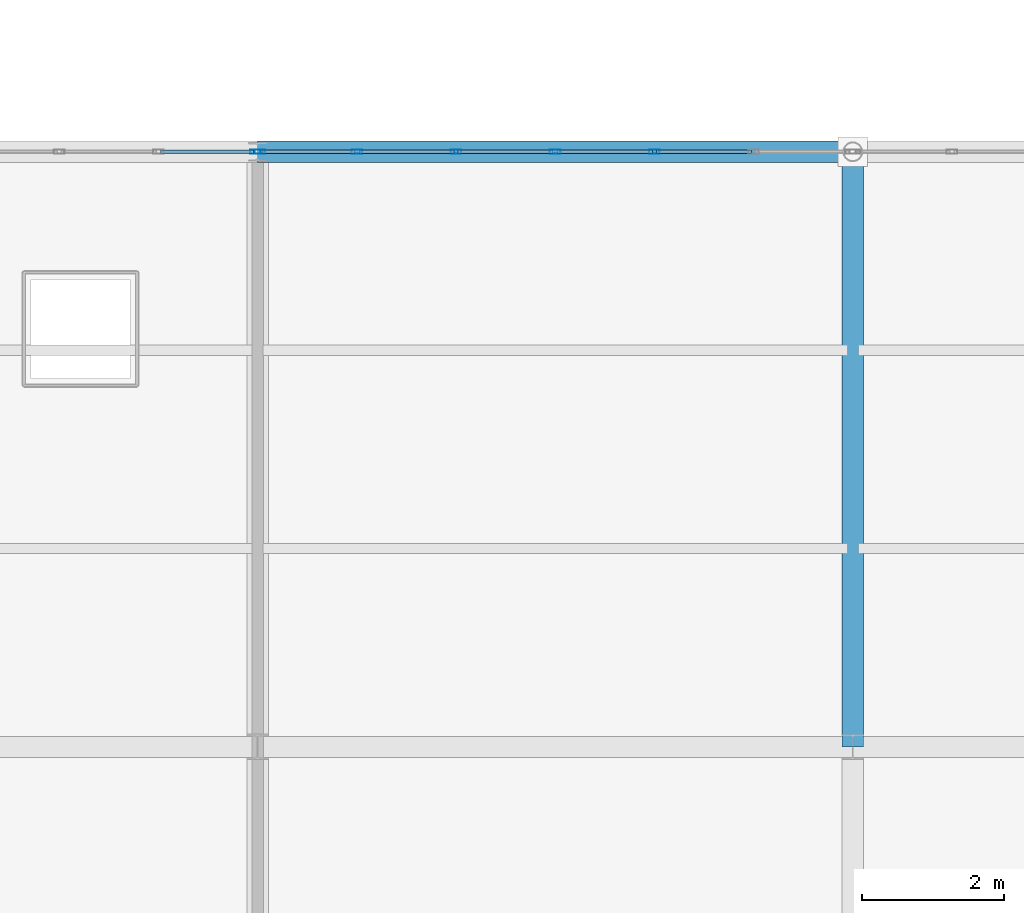
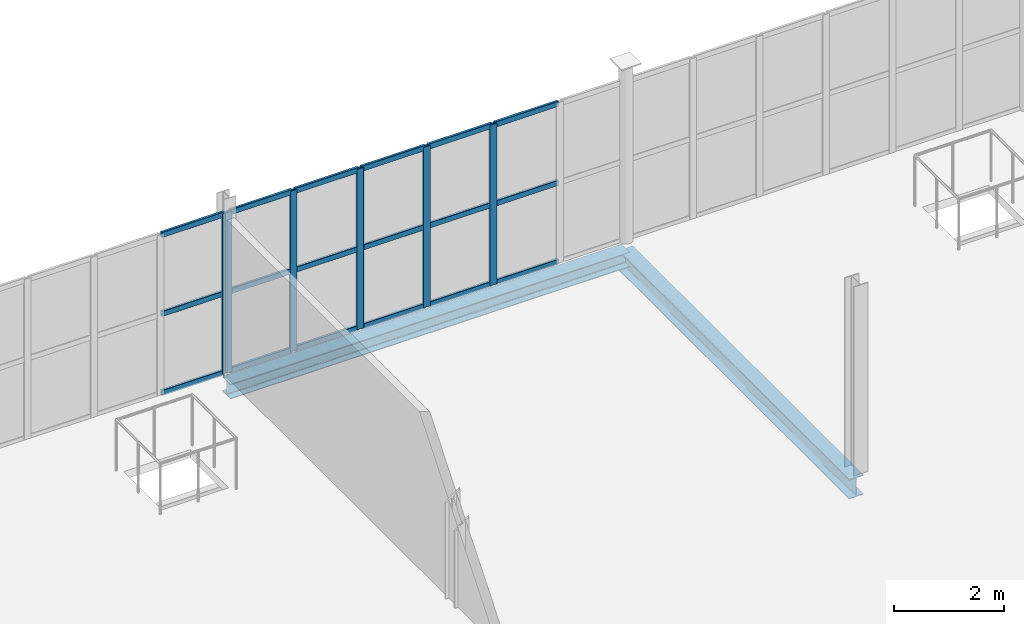
# One storey, part 84 of 163: 24 members, 2 beams, 2 elements without a shape of their own.
"""IFC4 building model written with IfcOpenShell, lengths in metres."""

from ifc_helpers import new_model, si_unit, direction, frame, origin, origin_2d, place, context, subcontext, project, spatial, hollow_rectangle, i_section, extrude, material, layer, layer_set, material_profile, profile_set, type_object, element, aggregate, save


model = new_model("IFC4")

# Units and contexts
model_context = context("Model", 3, precision=1e-05, world=origin(), true_north=direction((0.0, 1.0)))
body_context = subcontext(model_context, "Body", "Model", "MODEL_VIEW")
ifc_project = project(units=[si_unit("LENGTHUNIT", "METRE"), si_unit("AREAUNIT", "SQUARE_METRE"), si_unit("VOLUMEUNIT", "CUBIC_METRE"), si_unit("PLANEANGLEUNIT", "RADIAN"), si_unit("MASSUNIT", "GRAM", prefix="KILO")], contexts=[model_context])

# Site, building, storey
site_placement = place(None, origin())
site = spatial("IfcSite", under=ifc_project, at=site_placement, CompositionType="ELEMENT")
building_placement = place(site_placement, origin())
building = spatial("IfcBuilding", under=site, at=building_placement, Name="Qalvenar Corner Mobility Hub", CompositionType="ELEMENT")
storey_placement = place(building_placement, frame((0.0, 0.0, 4.800048828125)))
storey = spatial("IfcBuildingStorey", under=building, at=storey_placement, Name="L01", CompositionType="ELEMENT", Elevation=4.800048828125)

# Beams
ifc_material_1 = material(Name="Steel S355", Category="steel")
ifc_material_profile_1 = material_profile(ifc_material_1, i_section(OverallWidth=0.300048828125, OverallDepth=0.43994140625, WebThickness=0.011474609375, FlangeThickness=0.02099609375, FilletRadius=0.027099609375, at=origin_2d()), Name="HEA450")
ifc_profile_set_1 = profile_set([ifc_material_profile_1], Name="Steel S355")
beam_type_1 = type_object("IfcBeamType", Name="BM-HEA450", PredefinedType="BEAM", material=ifc_profile_set_1)
beam_1_placement = place(storey_placement, frame((25.199951171875, 84.0, -0.400146484375), z_axis=(0.0, 1.0, 0.0), x_axis=(-1.0, 0.0, 0.0)))
element("IfcBeam", 1, at=beam_1_placement, inside=storey, type_object=beam_type_1, Name="Primary Steel Girder GY-1203", PredefinedType="BEAM", context=body_context, shape_type="SweptSolid", body=[
    extrude(i_section(OverallWidth=0.300048828125, OverallDepth=0.43994140625, WebThickness=0.011474609375, FlangeThickness=0.02099609375, FilletRadius=0.027099609375, at=origin_2d()), origin(), (0.0, 0.0, 1.0), 8.39990234375),
])
ifc_material_profile_2 = material_profile(ifc_material_1, i_section(OverallWidth=0.300048828125, OverallDepth=0.330078125, WebThickness=0.009521484375, FlangeThickness=0.0166015625, FilletRadius=0.027099609375, at=origin_2d()), Name="HEA340")
ifc_profile_set_2 = profile_set([ifc_material_profile_2], Name="Steel S355")
beam_type_2 = type_object("IfcBeamType", Name="BM-SPN340", PredefinedType="SPANDREL", material=ifc_profile_set_2)
beam_2_placement = place(storey_placement, frame((16.800048828125, 92.39990234375, -0.344970703125), z_axis=(1.0, 0.0, 0.0), x_axis=(0.0, 1.0, 0.0)))
element("IfcBeam", 2, at=beam_2_placement, inside=storey, type_object=beam_type_2, Name="Primary Steel Girder GX-1178", PredefinedType="SPANDREL", context=body_context, shape_type="SweptSolid", body=[
    extrude(i_section(OverallWidth=0.300048828125, OverallDepth=0.330078125, WebThickness=0.009521484375, FlangeThickness=0.0166015625, FilletRadius=0.027099609375, at=origin_2d()), origin(), (0.0, 0.0, 1.0), 8.39990234375),
])

# Curtain wall, member
ifc_material_2 = material(Name="Anodised Aluminium and Low-E Glazing", Category="aluminium")
ifc_layer = layer(ifc_material_2, 0.14990234375)
ifc_layer_set = layer_set([ifc_layer], Name="Anodised Aluminium and Low-E Glazing")
curtain_wall_type = type_object("IfcCurtainWallType", Name="CW-CYC-84X39", PredefinedType="NOTDEFINED", material=ifc_layer_set)
curtain_wall_1_placement = place(storey_placement, origin())
curtain_wall_1 = element("IfcCurtainWall", 3, at=curtain_wall_1_placement, inside=storey, type_object=curtain_wall_type, Name="Glazed Curtain Wall CW-V5-L01-N1", PredefinedType="NOTDEFINED")
ifc_material_3 = material(Name="Anodised Aluminium 6063-T6", Category="aluminium")
ifc_material_profile_3 = material_profile(ifc_material_3, hollow_rectangle(XDim=0.06005859375, YDim=0.14990234375, WallThickness=0.00390625, InnerFilletRadius=0.00390625, OuterFilletRadius=0.008056640625, at=origin_2d()), Name="RHS150x60x4")
ifc_profile_set_3 = profile_set([ifc_material_profile_3], Name="Anodised Aluminium 6063-T6")
member_type_1 = type_object("IfcMemberType", Name="CW-MUL150", PredefinedType="MULLION", material=ifc_profile_set_3)
member_1_placement = place(storey_placement, frame((16.77001953125, 92.39990234375, 0.0), z_axis=(0.0, 0.0, 1.0), x_axis=(0.0, -1.0, 0.0)))
member_1 = element("IfcMember", 4, at=member_1_placement, type_object=member_type_1, Name="CW-08 mullion 1", PredefinedType="MULLION", context=body_context, shape_type="SweptSolid", body=[
    extrude(hollow_rectangle(XDim=0.06005859375, YDim=0.14990234375, WallThickness=0.00390625, InnerFilletRadius=0.00390625, OuterFilletRadius=0.008056640625, at=origin_2d()), origin(), (0.0, 0.0, 1.0), 3.570068359375),
])

# Curtain wall, members
curtain_wall_2_placement = place(storey_placement, origin())
curtain_wall_2 = element("IfcCurtainWall", 5, at=curtain_wall_2_placement, inside=storey, type_object=curtain_wall_type, Name="Glazed Curtain Wall CW-V5-L01-N2", PredefinedType="NOTDEFINED")
member_2_placement = place(storey_placement, frame((22.39990234375, 92.39990234375, 0.0), z_axis=(0.0, 0.0, 1.0), x_axis=(0.0, -1.0, 0.0)))
member_2 = element("IfcMember", 6, at=member_2_placement, type_object=member_type_1, Name="CW-08 mullion 3", PredefinedType="MULLION", context=body_context, shape_type="SweptSolid", body=[
    extrude(hollow_rectangle(XDim=0.06005859375, YDim=0.14990234375, WallThickness=0.00390625, InnerFilletRadius=0.00390625, OuterFilletRadius=0.008056640625, at=origin_2d()), origin(), (0.0, 0.0, 1.0), 3.570068359375),
])
member_3_placement = place(storey_placement, frame((21.0, 92.39990234375, 0.0), z_axis=(0.0, 0.0, 1.0), x_axis=(0.0, -1.0, 0.0)))
member_3 = element("IfcMember", 7, at=member_3_placement, type_object=member_type_1, Name="CW-08 mullion 4", PredefinedType="MULLION", context=body_context, shape_type="SweptSolid", body=[
    extrude(hollow_rectangle(XDim=0.06005859375, YDim=0.14990234375, WallThickness=0.00390625, InnerFilletRadius=0.00390625, OuterFilletRadius=0.008056640625, at=origin_2d()), origin(), (0.0, 0.0, 1.0), 3.570068359375),
])
member_4_placement = place(storey_placement, frame((19.60009765625, 92.39990234375, 0.0), z_axis=(0.0, 0.0, 1.0), x_axis=(0.0, -1.0, 0.0)))
member_4 = element("IfcMember", 8, at=member_4_placement, type_object=member_type_1, Name="CW-08 mullion 5", PredefinedType="MULLION", context=body_context, shape_type="SweptSolid", body=[
    extrude(hollow_rectangle(XDim=0.06005859375, YDim=0.14990234375, WallThickness=0.00390625, InnerFilletRadius=0.00390625, OuterFilletRadius=0.008056640625, at=origin_2d()), origin(), (0.0, 0.0, 1.0), 3.570068359375),
])
member_5_placement = place(storey_placement, frame((18.199951171875, 92.39990234375, 0.0), z_axis=(0.0, 0.0, 1.0), x_axis=(0.0, -1.0, 0.0)))
member_5 = element("IfcMember", 9, at=member_5_placement, type_object=member_type_1, Name="CW-08 mullion 6", PredefinedType="MULLION", context=body_context, shape_type="SweptSolid", body=[
    extrude(hollow_rectangle(XDim=0.06005859375, YDim=0.14990234375, WallThickness=0.00390625, InnerFilletRadius=0.00390625, OuterFilletRadius=0.008056640625, at=origin_2d()), origin(), (0.0, 0.0, 1.0), 3.570068359375),
])
member_6_placement = place(storey_placement, frame((16.830078125, 92.39990234375, 0.0), z_axis=(0.0, 0.0, 1.0), x_axis=(0.0, -1.0, 0.0)))
member_6 = element("IfcMember", 10, at=member_6_placement, type_object=member_type_1, Name="CW-08 mullion 7", PredefinedType="MULLION", context=body_context, shape_type="SweptSolid", body=[
    extrude(hollow_rectangle(XDim=0.06005859375, YDim=0.14990234375, WallThickness=0.00390625, InnerFilletRadius=0.00390625, OuterFilletRadius=0.008056640625, at=origin_2d()), origin(), (0.0, 0.0, 1.0), 3.570068359375),
])

# Member
ifc_material_profile_4 = material_profile(ifc_material_3, hollow_rectangle(XDim=0.054931640625, YDim=0.1201171875, WallThickness=0.00341796875, InnerFilletRadius=0.00341796875, OuterFilletRadius=0.007080078125, at=origin_2d()), Name="RHS120x55x3.5")
ifc_profile_set_4 = profile_set([ifc_material_profile_4], Name="Anodised Aluminium 6063-T6")
member_type_2 = type_object("IfcMemberType", Name="CW-TRN120", PredefinedType="USERDEFINED", material=ifc_profile_set_4)
member_7_placement = place(storey_placement, frame((16.739990234375, 92.39990234375, 0.02734375), z_axis=(-1.0, 0.0, 0.0), x_axis=(0.0, -1.0, 0.0)))
member_7 = element("IfcMember", 11, at=member_7_placement, type_object=member_type_2, Name="CW-08 transom 1.1", ObjectType="TRANSOM", PredefinedType="USERDEFINED", context=body_context, shape_type="SweptSolid", body=[
    extrude(hollow_rectangle(XDim=0.054931640625, YDim=0.1201171875, WallThickness=0.00341796875, InnerFilletRadius=0.00341796875, OuterFilletRadius=0.007080078125, at=origin_2d()), origin(), (0.0, 0.0, 1.0), 1.31005859375),
])

member_8_placement = place(storey_placement, frame((16.739990234375, 92.39990234375, 1.784912109375), z_axis=(-1.0, 0.0, 0.0), x_axis=(0.0, -1.0, 0.0)))
member_8 = element("IfcMember", 12, at=member_8_placement, type_object=member_type_2, Name="CW-08 transom 1.2", ObjectType="TRANSOM", PredefinedType="USERDEFINED", context=body_context, shape_type="SweptSolid", body=[
    extrude(hollow_rectangle(XDim=0.054931640625, YDim=0.1201171875, WallThickness=0.00341796875, InnerFilletRadius=0.00341796875, OuterFilletRadius=0.007080078125, at=origin_2d()), origin(), (0.0, 0.0, 1.0), 1.31005859375),
])

member_9_placement = place(storey_placement, frame((16.739990234375, 92.39990234375, 3.54248046875), z_axis=(-1.0, 0.0, 0.0), x_axis=(0.0, -1.0, 0.0)))
member_9 = element("IfcMember", 13, at=member_9_placement, type_object=member_type_2, Name="CW-08 transom 1.3", ObjectType="TRANSOM", PredefinedType="USERDEFINED", context=body_context, shape_type="SweptSolid", body=[
    extrude(hollow_rectangle(XDim=0.054931640625, YDim=0.1201171875, WallThickness=0.00341796875, InnerFilletRadius=0.00341796875, OuterFilletRadius=0.007080078125, at=origin_2d()), origin(), (0.0, 0.0, 1.0), 1.31005859375),
])

aggregate(curtain_wall_1, [member_1, member_7, member_8, member_9])

member_10_placement = place(storey_placement, frame((23.77001953125, 92.39990234375, 0.02734375), z_axis=(-1.0, 0.0, 0.0), x_axis=(0.0, -1.0, 0.0)))
member_10 = element("IfcMember", 14, at=member_10_placement, type_object=member_type_2, Name="CW-08 transom 2.1", ObjectType="TRANSOM", PredefinedType="USERDEFINED", context=body_context, shape_type="SweptSolid", body=[
    extrude(hollow_rectangle(XDim=0.054931640625, YDim=0.1201171875, WallThickness=0.00341796875, InnerFilletRadius=0.00341796875, OuterFilletRadius=0.007080078125, at=origin_2d()), origin(), (0.0, 0.0, 1.0), 1.340087890625),
])

member_11_placement = place(storey_placement, frame((23.77001953125, 92.39990234375, 1.784912109375), z_axis=(-1.0, 0.0, 0.0), x_axis=(0.0, -1.0, 0.0)))
member_11 = element("IfcMember", 15, at=member_11_placement, type_object=member_type_2, Name="CW-08 transom 2.2", ObjectType="TRANSOM", PredefinedType="USERDEFINED", context=body_context, shape_type="SweptSolid", body=[
    extrude(hollow_rectangle(XDim=0.054931640625, YDim=0.1201171875, WallThickness=0.00341796875, InnerFilletRadius=0.00341796875, OuterFilletRadius=0.007080078125, at=origin_2d()), origin(), (0.0, 0.0, 1.0), 1.340087890625),
])

member_12_placement = place(storey_placement, frame((23.77001953125, 92.39990234375, 3.54248046875), z_axis=(-1.0, 0.0, 0.0), x_axis=(0.0, -1.0, 0.0)))
member_12 = element("IfcMember", 16, at=member_12_placement, type_object=member_type_2, Name="CW-08 transom 2.3", ObjectType="TRANSOM", PredefinedType="USERDEFINED", context=body_context, shape_type="SweptSolid", body=[
    extrude(hollow_rectangle(XDim=0.054931640625, YDim=0.1201171875, WallThickness=0.00341796875, InnerFilletRadius=0.00341796875, OuterFilletRadius=0.007080078125, at=origin_2d()), origin(), (0.0, 0.0, 1.0), 1.340087890625),
])

member_13_placement = place(storey_placement, frame((22.3701171875, 92.39990234375, 0.02734375), z_axis=(-1.0, 0.0, 0.0), x_axis=(0.0, -1.0, 0.0)))
member_13 = element("IfcMember", 17, at=member_13_placement, type_object=member_type_2, Name="CW-08 transom 3.1", ObjectType="TRANSOM", PredefinedType="USERDEFINED", context=body_context, shape_type="SweptSolid", body=[
    extrude(hollow_rectangle(XDim=0.054931640625, YDim=0.1201171875, WallThickness=0.00341796875, InnerFilletRadius=0.00341796875, OuterFilletRadius=0.007080078125, at=origin_2d()), origin(), (0.0, 0.0, 1.0), 1.340087890625),
])

member_14_placement = place(storey_placement, frame((22.3701171875, 92.39990234375, 1.784912109375), z_axis=(-1.0, 0.0, 0.0), x_axis=(0.0, -1.0, 0.0)))
member_14 = element("IfcMember", 18, at=member_14_placement, type_object=member_type_2, Name="CW-08 transom 3.2", ObjectType="TRANSOM", PredefinedType="USERDEFINED", context=body_context, shape_type="SweptSolid", body=[
    extrude(hollow_rectangle(XDim=0.054931640625, YDim=0.1201171875, WallThickness=0.00341796875, InnerFilletRadius=0.00341796875, OuterFilletRadius=0.007080078125, at=origin_2d()), origin(), (0.0, 0.0, 1.0), 1.340087890625),
])

member_15_placement = place(storey_placement, frame((22.3701171875, 92.39990234375, 3.54248046875), z_axis=(-1.0, 0.0, 0.0), x_axis=(0.0, -1.0, 0.0)))
member_15 = element("IfcMember", 19, at=member_15_placement, type_object=member_type_2, Name="CW-08 transom 3.3", ObjectType="TRANSOM", PredefinedType="USERDEFINED", context=body_context, shape_type="SweptSolid", body=[
    extrude(hollow_rectangle(XDim=0.054931640625, YDim=0.1201171875, WallThickness=0.00341796875, InnerFilletRadius=0.00341796875, OuterFilletRadius=0.007080078125, at=origin_2d()), origin(), (0.0, 0.0, 1.0), 1.340087890625),
])

member_16_placement = place(storey_placement, frame((20.969970703125, 92.39990234375, 0.02734375), z_axis=(-1.0, 0.0, 0.0), x_axis=(0.0, -1.0, 0.0)))
member_16 = element("IfcMember", 20, at=member_16_placement, type_object=member_type_2, Name="CW-08 transom 4.1", ObjectType="TRANSOM", PredefinedType="USERDEFINED", context=body_context, shape_type="SweptSolid", body=[
    extrude(hollow_rectangle(XDim=0.054931640625, YDim=0.1201171875, WallThickness=0.00341796875, InnerFilletRadius=0.00341796875, OuterFilletRadius=0.007080078125, at=origin_2d()), origin(), (0.0, 0.0, 1.0), 1.340087890625),
])

member_17_placement = place(storey_placement, frame((20.969970703125, 92.39990234375, 1.784912109375), z_axis=(-1.0, 0.0, 0.0), x_axis=(0.0, -1.0, 0.0)))
member_17 = element("IfcMember", 21, at=member_17_placement, type_object=member_type_2, Name="CW-08 transom 4.2", ObjectType="TRANSOM", PredefinedType="USERDEFINED", context=body_context, shape_type="SweptSolid", body=[
    extrude(hollow_rectangle(XDim=0.054931640625, YDim=0.1201171875, WallThickness=0.00341796875, InnerFilletRadius=0.00341796875, OuterFilletRadius=0.007080078125, at=origin_2d()), origin(), (0.0, 0.0, 1.0), 1.340087890625),
])

member_18_placement = place(storey_placement, frame((20.969970703125, 92.39990234375, 3.54248046875), z_axis=(-1.0, 0.0, 0.0), x_axis=(0.0, -1.0, 0.0)))
member_18 = element("IfcMember", 22, at=member_18_placement, type_object=member_type_2, Name="CW-08 transom 4.3", ObjectType="TRANSOM", PredefinedType="USERDEFINED", context=body_context, shape_type="SweptSolid", body=[
    extrude(hollow_rectangle(XDim=0.054931640625, YDim=0.1201171875, WallThickness=0.00341796875, InnerFilletRadius=0.00341796875, OuterFilletRadius=0.007080078125, at=origin_2d()), origin(), (0.0, 0.0, 1.0), 1.340087890625),
])

member_19_placement = place(storey_placement, frame((19.570068359375, 92.39990234375, 0.02734375), z_axis=(-1.0, 0.0, 0.0), x_axis=(0.0, -1.0, 0.0)))
member_19 = element("IfcMember", 23, at=member_19_placement, type_object=member_type_2, Name="CW-08 transom 5.1", ObjectType="TRANSOM", PredefinedType="USERDEFINED", context=body_context, shape_type="SweptSolid", body=[
    extrude(hollow_rectangle(XDim=0.054931640625, YDim=0.1201171875, WallThickness=0.00341796875, InnerFilletRadius=0.00341796875, OuterFilletRadius=0.007080078125, at=origin_2d()), origin(), (0.0, 0.0, 1.0), 1.340087890625),
])

member_20_placement = place(storey_placement, frame((19.570068359375, 92.39990234375, 1.784912109375), z_axis=(-1.0, 0.0, 0.0), x_axis=(0.0, -1.0, 0.0)))
member_20 = element("IfcMember", 24, at=member_20_placement, type_object=member_type_2, Name="CW-08 transom 5.2", ObjectType="TRANSOM", PredefinedType="USERDEFINED", context=body_context, shape_type="SweptSolid", body=[
    extrude(hollow_rectangle(XDim=0.054931640625, YDim=0.1201171875, WallThickness=0.00341796875, InnerFilletRadius=0.00341796875, OuterFilletRadius=0.007080078125, at=origin_2d()), origin(), (0.0, 0.0, 1.0), 1.340087890625),
])

member_21_placement = place(storey_placement, frame((19.570068359375, 92.39990234375, 3.54248046875), z_axis=(-1.0, 0.0, 0.0), x_axis=(0.0, -1.0, 0.0)))
member_21 = element("IfcMember", 25, at=member_21_placement, type_object=member_type_2, Name="CW-08 transom 5.3", ObjectType="TRANSOM", PredefinedType="USERDEFINED", context=body_context, shape_type="SweptSolid", body=[
    extrude(hollow_rectangle(XDim=0.054931640625, YDim=0.1201171875, WallThickness=0.00341796875, InnerFilletRadius=0.00341796875, OuterFilletRadius=0.007080078125, at=origin_2d()), origin(), (0.0, 0.0, 1.0), 1.340087890625),
])

member_22_placement = place(storey_placement, frame((18.169921875, 92.39990234375, 0.02734375), z_axis=(-1.0, 0.0, 0.0), x_axis=(0.0, -1.0, 0.0)))
member_22 = element("IfcMember", 26, at=member_22_placement, type_object=member_type_2, Name="CW-08 transom 6.1", ObjectType="TRANSOM", PredefinedType="USERDEFINED", context=body_context, shape_type="SweptSolid", body=[
    extrude(hollow_rectangle(XDim=0.054931640625, YDim=0.1201171875, WallThickness=0.00341796875, InnerFilletRadius=0.00341796875, OuterFilletRadius=0.007080078125, at=origin_2d()), origin(), (0.0, 0.0, 1.0), 1.309814453125),
])

member_23_placement = place(storey_placement, frame((18.169921875, 92.39990234375, 1.784912109375), z_axis=(-1.0, 0.0, 0.0), x_axis=(0.0, -1.0, 0.0)))
member_23 = element("IfcMember", 27, at=member_23_placement, type_object=member_type_2, Name="CW-08 transom 6.2", ObjectType="TRANSOM", PredefinedType="USERDEFINED", context=body_context, shape_type="SweptSolid", body=[
    extrude(hollow_rectangle(XDim=0.054931640625, YDim=0.1201171875, WallThickness=0.00341796875, InnerFilletRadius=0.00341796875, OuterFilletRadius=0.007080078125, at=origin_2d()), origin(), (0.0, 0.0, 1.0), 1.309814453125),
])

member_24_placement = place(storey_placement, frame((18.169921875, 92.39990234375, 3.54248046875), z_axis=(-1.0, 0.0, 0.0), x_axis=(0.0, -1.0, 0.0)))
member_24 = element("IfcMember", 28, at=member_24_placement, type_object=member_type_2, Name="CW-08 transom 6.3", ObjectType="TRANSOM", PredefinedType="USERDEFINED", context=body_context, shape_type="SweptSolid", body=[
    extrude(hollow_rectangle(XDim=0.054931640625, YDim=0.1201171875, WallThickness=0.00341796875, InnerFilletRadius=0.00341796875, OuterFilletRadius=0.007080078125, at=origin_2d()), origin(), (0.0, 0.0, 1.0), 1.309814453125),
])

aggregate(curtain_wall_2, [member_2, member_3, member_4, member_5, member_6, member_10, member_11, member_12, member_13, member_14, member_15, member_16, member_17, member_18, member_19, member_20, member_21, member_22, member_23, member_24])

save(model, "model.ifc")
